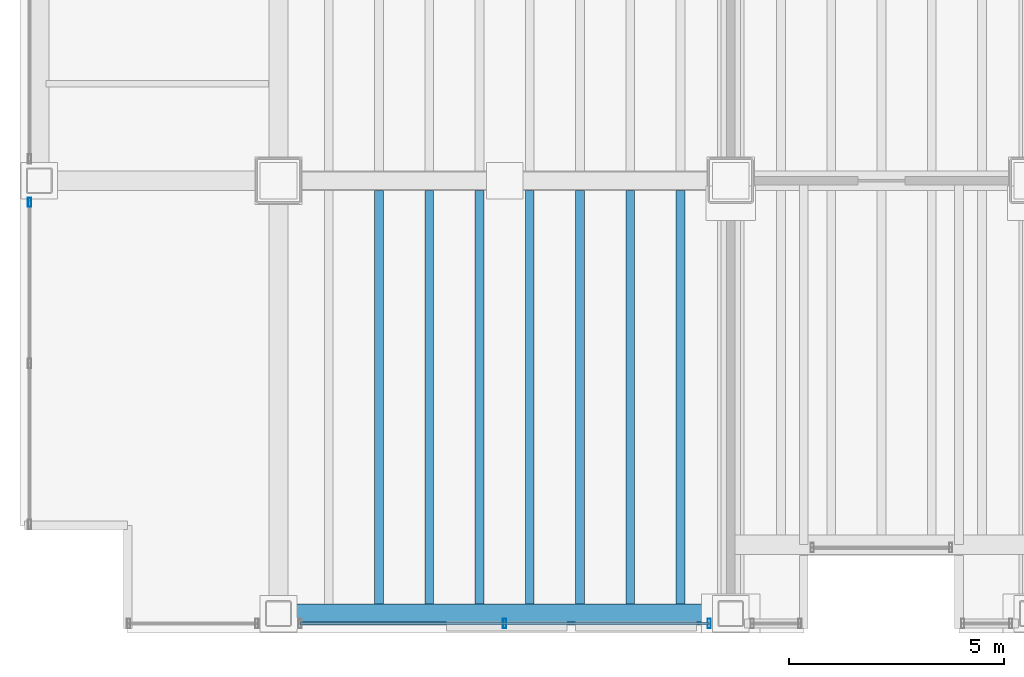
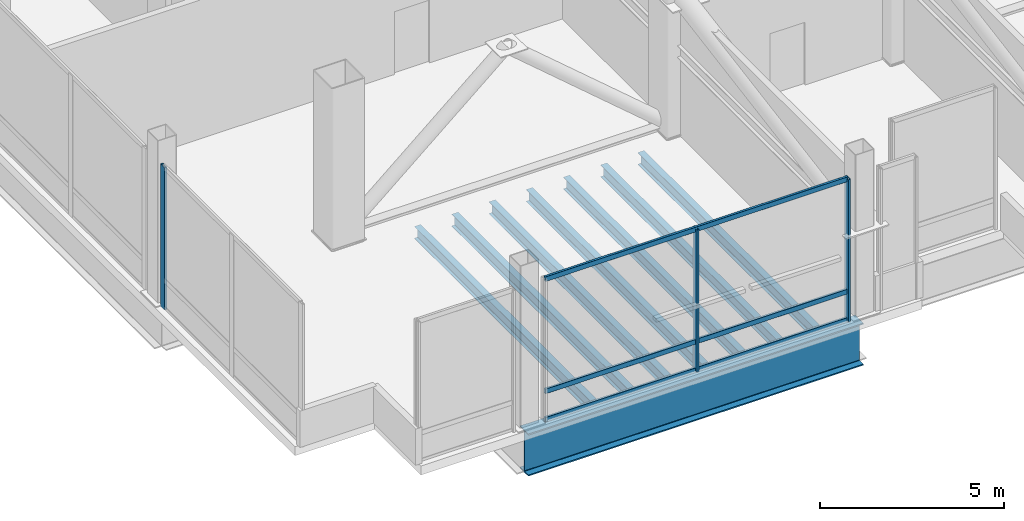
# One storey, part 3 of 20: 8 beams, 6 members, 2 elements without a shape of their own.
"""IFC4 building model written with IfcOpenShell, lengths in metres."""

from ifc_helpers import new_model, si_unit, direction, frame, origin, origin_2d, place, context, subcontext, project, spatial, hollow_rectangle, i_section, extrude, material, material_profile, profile_set, type_object, element, aggregate, save


model = new_model("IFC4")

# Units and contexts
model_context = context("Model", 3, precision=1e-05, world=origin(), true_north=direction((0.0, 1.0)))
body_context = subcontext(model_context, "Body", "Model", "MODEL_VIEW")
ifc_project = project(units=[si_unit("LENGTHUNIT", "METRE"), si_unit("AREAUNIT", "SQUARE_METRE"), si_unit("VOLUMEUNIT", "CUBIC_METRE"), si_unit("PLANEANGLEUNIT", "RADIAN"), si_unit("MASSUNIT", "GRAM", prefix="KILO")], contexts=[model_context])

# Site, building, storey
site_placement = place(None, origin())
site = spatial("IfcSite", under=ifc_project, at=site_placement, CompositionType="ELEMENT")
building_placement = place(site_placement, origin())
building = spatial("IfcBuilding", under=site, at=building_placement, Name="Noeulbin Bourse Tower", CompositionType="ELEMENT")
storey_placement = place(building_placement, frame((0.0, 0.0, 100.60009765625)))
storey = spatial("IfcBuildingStorey", under=building, at=storey_placement, Name="L25", CompositionType="ELEMENT", Elevation=100.60009765625)

# Beams
ifc_material_1 = material(Name="Steel S355", Category="steel")
ifc_material_profile_1 = material_profile(ifc_material_1, i_section(OverallWidth=0.199951171875, OverallDepth=0.39990234375, WebThickness=0.008056640625, FlangeThickness=0.012939453125, FilletRadius=0.01611328125, at=origin_2d()), Name="H-400x200x8x13", Category="LoadBearing")
ifc_profile_set_1 = profile_set([ifc_material_profile_1], Name="Steel S355")
beam_type_1 = type_object("IfcBeamType", Name="BM-SEC-400", PredefinedType="BEAM", material=ifc_profile_set_1)
for number, where, z_axis, x_axis, name in (
    (1, (15.833251953125, 10.175048828125, -0.5), (0.0, 1.0, 0.0), (-1.0, 0.0, 0.0), "Tower Composite Joist L25-04"),
    (2, (17.0, 10.175048828125, -0.5), (0.0, 1.0, 0.0), (-1.0, 0.0, 0.0), "Tower Composite Joist L25-07"),
    (3, (18.166748046875, 10.175048828125, -0.5), (0.0, 1.0, 0.0), (-1.0, 0.0, 0.0), "Tower Composite Joist L25-10"),
    (4, (19.333251953125, 10.175048828125, -0.5), (0.0, 1.0, 0.0), (-1.0, 0.0, 0.0), "Tower Composite Joist L25-13"),
    (5, (20.5, 10.175048828125, -0.5), (0.0, 1.0, 0.0), (-1.0, 0.0, 0.0), "Tower Composite Joist L25-16"),
    (6, (21.666748046875, 10.175048828125, -0.5), (0.0, 1.0, 0.0), (-1.0, 0.0, 0.0), "Tower Composite Joist L25-19"),
    (7, (22.833251953125, 10.175048828125, -0.5), (0.0, 1.0, 0.0), (-1.0, 0.0, 0.0), "Tower Composite Joist L25-22"),
):
    element("IfcBeam", number, at=place(storey_placement, frame(where, z_axis=z_axis, x_axis=x_axis)), inside=storey, type_object=beam_type_1, Name=name, PredefinedType="BEAM", context=body_context, shape_type="SweptSolid", body=[
        extrude(i_section(OverallWidth=0.199951171875, OverallDepth=0.39990234375, WebThickness=0.008056640625, FlangeThickness=0.012939453125, FilletRadius=0.01611328125, at=origin_2d()), origin(), (0.0, 0.0, 1.0), 9.599853515625),
    ])
ifc_material_2 = material(Name="Steel S460", Category="steel")
ifc_material_profile_2 = material_profile(ifc_material_2, i_section(OverallWidth=0.449951171875, OverallDepth=1.39990234375, WebThickness=0.02392578125, FlangeThickness=0.0400390625, FilletRadius=0.02392578125, at=origin_2d()), Name="PG-1400x450x24x40", Category="LoadBearing")
ifc_profile_set_2 = profile_set([ifc_material_profile_2], Name="Steel S460")
beam_type_2 = type_object("IfcBeamType", Name="BM-TRF-1400", PredefinedType="USERDEFINED", material=ifc_profile_set_2)
beam_placement = place(storey_placement, frame((13.5, 9.949951171875, -1.0), z_axis=(1.0, 0.0, 0.0), x_axis=(0.0, 1.0, 0.0)))
element("IfcBeam", 8, at=beam_placement, inside=storey, type_object=beam_type_2, Name="South Spandrel L25-1", ObjectType="GIRDER", PredefinedType="USERDEFINED", context=body_context, shape_type="SweptSolid", body=[
    extrude(i_section(OverallWidth=0.449951171875, OverallDepth=1.39990234375, WebThickness=0.02392578125, FlangeThickness=0.0400390625, FilletRadius=0.02392578125, at=origin_2d()), origin(), (0.0, 0.0, 1.0), 10.5),
])

# Curtain wall, members
ifc_material_3 = material(Name="Translucent Ceramic-Fritted Glass", Category="glass")
curtain_wall_type = type_object("IfcCurtainWallType", Name="CW-SYS-5", PredefinedType="NOTDEFINED", material=ifc_material_3)
curtain_wall_1_placement = place(storey_placement, origin())
curtain_wall_1 = element("IfcCurtainWall", 9, at=curtain_wall_1_placement, inside=storey, type_object=curtain_wall_type, Name="Unitised Curtain Wall CW-L25-S1-S2", PredefinedType="NOTDEFINED")
ifc_material_4 = material(Name="Anodised Aluminium 6063-T6", Category="aluminium")
ifc_material_profile_3 = material_profile(ifc_material_4, hollow_rectangle(XDim=0.074951171875, YDim=0.219970703125, WallThickness=0.0048828125, InnerFilletRadius=0.00244140625, OuterFilletRadius=0.0048828125, at=origin_2d()), Name="ALU-MULL-75x220x5", Category="LoadBearing")
ifc_profile_set_3 = profile_set([ifc_material_profile_3], Name="Anodised Aluminium 6063-T6")
member_type_1 = type_object("IfcMemberType", Name="CW-SYS-5-MUL", PredefinedType="MULLION", material=ifc_profile_set_3)
member_1_placement = place(storey_placement, frame((18.75, 9.719970703125, -0.02001953125), z_axis=(0.0, 0.0, 1.0), x_axis=(1.0, 0.0, 0.0)))
member_1 = element("IfcMember", 10, at=member_1_placement, type_object=member_type_1, Name="Curtain Wall Mullion CW-L25-S1-S2-M01", PredefinedType="MULLION", context=body_context, shape_type="SweptSolid", body=[
    extrude(hollow_rectangle(XDim=0.074951171875, YDim=0.219970703125, WallThickness=0.0048828125, InnerFilletRadius=0.00244140625, OuterFilletRadius=0.0048828125, at=origin_2d()), origin(), (0.0, 0.0, 1.0), 4.719970703125),
])
member_2_placement = place(storey_placement, frame((23.5, 9.719970703125, -0.02001953125), z_axis=(0.0, 0.0, 1.0), x_axis=(1.0, 0.0, 0.0)))
member_2 = element("IfcMember", 11, at=member_2_placement, type_object=member_type_1, Name="Curtain Wall Mullion CW-L25-S1-S2-M02", PredefinedType="MULLION", context=body_context, shape_type="SweptSolid", body=[
    extrude(hollow_rectangle(XDim=0.074951171875, YDim=0.219970703125, WallThickness=0.0048828125, InnerFilletRadius=0.00244140625, OuterFilletRadius=0.0048828125, at=origin_2d()), origin(), (0.0, 0.0, 1.0), 4.719970703125),
])

# Curtain wall, member
curtain_wall_2_placement = place(storey_placement, origin())
curtain_wall_2 = element("IfcCurtainWall", 12, at=curtain_wall_2_placement, inside=storey, type_object=curtain_wall_type, Name="Unitised Curtain Wall CW-L25-W-S1", PredefinedType="NOTDEFINED")
member_3_placement = place(storey_placement, frame((7.719970703125, 19.5, -0.02001953125), z_axis=(0.0, 0.0, 1.0), x_axis=(1.0, 0.0, 0.0)))
member_3 = element("IfcMember", 13, at=member_3_placement, type_object=member_type_1, Name="Curtain Wall Mullion CW-L25-W-S1-M02", PredefinedType="MULLION", context=body_context, shape_type="SweptSolid", body=[
    extrude(hollow_rectangle(XDim=0.074951171875, YDim=0.219970703125, WallThickness=0.0048828125, InnerFilletRadius=0.00244140625, OuterFilletRadius=0.0048828125, at=origin_2d()), origin(), (0.0, 0.0, 1.0), 4.719970703125),
])
aggregate(curtain_wall_2, [member_3])

# Member
ifc_material_profile_4 = material_profile(ifc_material_4, hollow_rectangle(XDim=0.074951171875, YDim=0.159912109375, WallThickness=0.0048828125, InnerFilletRadius=0.00244140625, OuterFilletRadius=0.0048828125, at=origin_2d()), Name="ALU-TRAN-75x160x5", Category="LoadBearing")
ifc_profile_set_4 = profile_set([ifc_material_profile_4], Name="Anodised Aluminium 6063-T6")
member_type_2 = type_object("IfcMemberType", Name="CW-SYS-5-TRN", PredefinedType="USERDEFINED", material=ifc_profile_set_4)
member_4_placement = place(storey_placement, frame((14.010009765625, 9.719970703125, 0.010009765625), z_axis=(1.0, 0.0, 0.0), x_axis=(0.0, 1.0, 0.0)))
member_4 = element("IfcMember", 14, at=member_4_placement, type_object=member_type_2, Name="Curtain Wall Transom CW-L25-S1-S2-T00", ObjectType="TRANSOM", PredefinedType="USERDEFINED", context=body_context, shape_type="SweptSolid", body=[
    extrude(hollow_rectangle(XDim=0.074951171875, YDim=0.159912109375, WallThickness=0.0048828125, InnerFilletRadius=0.00244140625, OuterFilletRadius=0.0048828125, at=origin_2d()), origin(), (0.0, 0.0, 1.0), 9.47998046875),
])

member_5_placement = place(storey_placement, frame((14.010009765625, 9.719970703125, 0.949951171875), z_axis=(1.0, 0.0, 0.0), x_axis=(0.0, 1.0, 0.0)))
member_5 = element("IfcMember", 15, at=member_5_placement, type_object=member_type_2, Name="Curtain Wall Transom CW-L25-S1-S2-T01", ObjectType="TRANSOM", PredefinedType="USERDEFINED", context=body_context, shape_type="SweptSolid", body=[
    extrude(hollow_rectangle(XDim=0.074951171875, YDim=0.159912109375, WallThickness=0.0048828125, InnerFilletRadius=0.00244140625, OuterFilletRadius=0.0048828125, at=origin_2d()), origin(), (0.0, 0.0, 1.0), 9.47998046875),
])

member_6_placement = place(storey_placement, frame((14.010009765625, 9.719970703125, 4.669921875), z_axis=(1.0, 0.0, 0.0), x_axis=(0.0, 1.0, 0.0)))
member_6 = element("IfcMember", 16, at=member_6_placement, type_object=member_type_2, Name="Curtain Wall Transom CW-L25-S1-S2-T02", ObjectType="TRANSOM", PredefinedType="USERDEFINED", context=body_context, shape_type="SweptSolid", body=[
    extrude(hollow_rectangle(XDim=0.074951171875, YDim=0.159912109375, WallThickness=0.0048828125, InnerFilletRadius=0.00244140625, OuterFilletRadius=0.0048828125, at=origin_2d()), origin(), (0.0, 0.0, 1.0), 9.47998046875),
])

aggregate(curtain_wall_1, [member_1, member_2, member_4, member_5, member_6])

save(model, "model.ifc")
